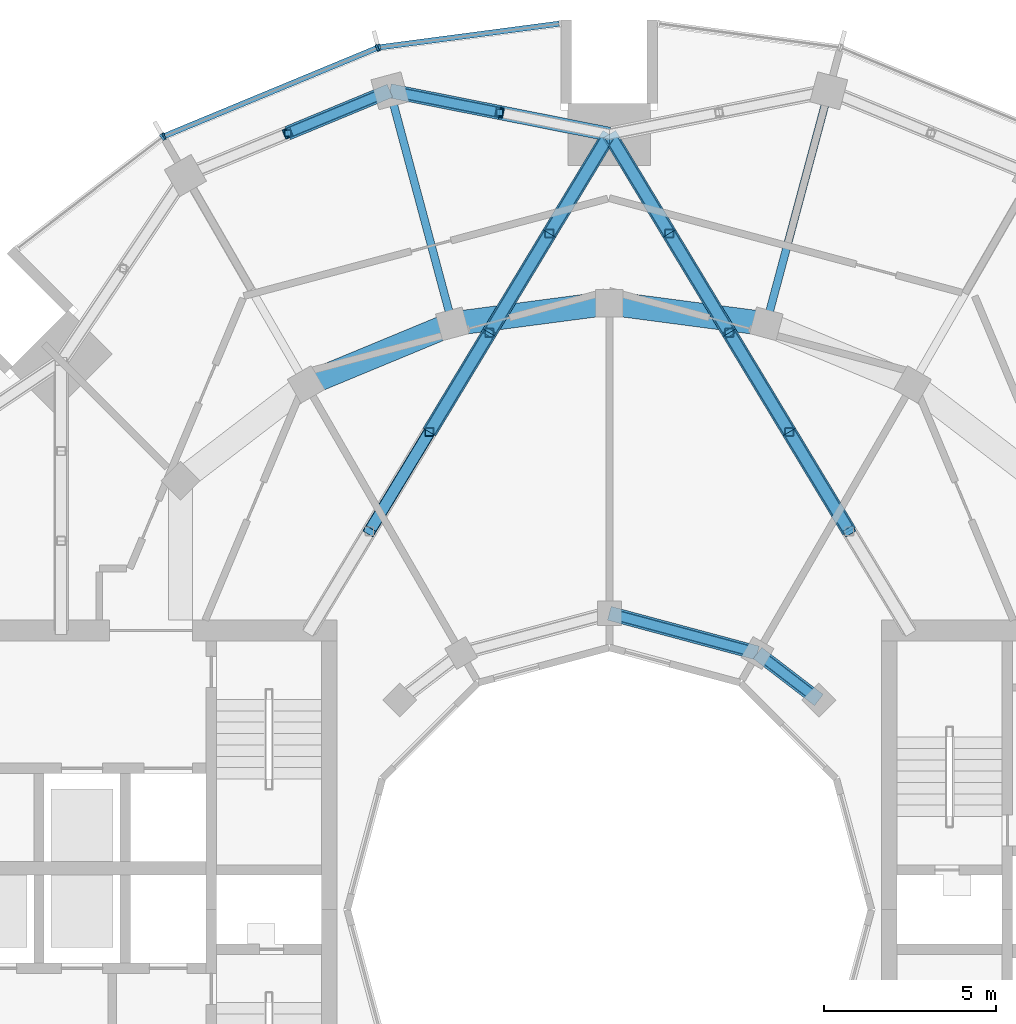
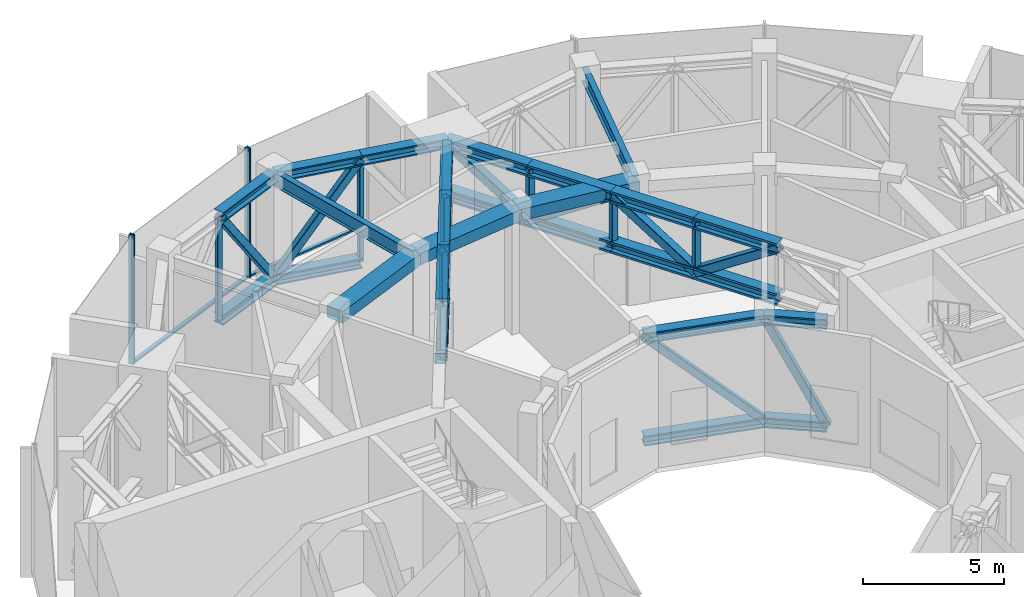
# One storey, part 8 of 18: 49 members, 5 beams, 3 elements without a shape of their own.
"""IFC4 building model written with IfcOpenShell, lengths in metres."""

from ifc_helpers import new_model, si_unit, direction, frame, origin, origin_2d, place, context, subcontext, project, spatial, rectangle, hollow_rectangle, i_section, extrude, material, layer, layer_set, material_profile, profile_set, type_object, element, aggregate, save


model = new_model("IFC4")

# Units and contexts
model_context = context("Model", 3, precision=1e-05, world=origin(), true_north=direction((0.0, 1.0)))
body_context = subcontext(model_context, "Body", "Model", "MODEL_VIEW")
ifc_project = project(units=[si_unit("LENGTHUNIT", "METRE"), si_unit("AREAUNIT", "SQUARE_METRE"), si_unit("VOLUMEUNIT", "CUBIC_METRE"), si_unit("PLANEANGLEUNIT", "RADIAN"), si_unit("MASSUNIT", "GRAM", prefix="KILO")], contexts=[model_context])

# Site, building, storey
site_placement = place(None, origin())
site = spatial("IfcSite", under=ifc_project, at=site_placement, CompositionType="ELEMENT")
building_placement = place(site_placement, origin())
building = spatial("IfcBuilding", under=site, at=building_placement, Name="Torre Brocal", CompositionType="ELEMENT")
storey_placement = place(building_placement, frame((0.0, 0.0, 206.89990234375)))
storey = spatial("IfcBuildingStorey", under=building, at=storey_placement, Name="L48", CompositionType="ELEMENT", Elevation=206.89990234375)

# Members
ifc_material_1 = material(Name="Steel A500 Grade C", Category="steel")
ifc_material_profile_1 = material_profile(ifc_material_1, hollow_rectangle(XDim=0.203125, YDim=0.203125, WallThickness=0.01171875, InnerFilletRadius=0.01171875, OuterFilletRadius=0.023681640625, at=origin_2d()), Name="HSS8X8X1/2")
ifc_profile_set_1 = profile_set([ifc_material_profile_1], Name="Steel A500 Grade C")
member_type_1 = type_object("IfcMemberType", Name="BELT 2 POST HSS8X8X1/2", PredefinedType="POST", material=ifc_profile_set_1)
for number, where, z_axis, x_axis, name in (
    (1, (76.81640625, 98.130859375, 0.6171875), (0.0, 0.0, 1.0), (1.0, 0.0, 0.0), "Member BT2-P05"),
    (2, (70.66650390625, 97.532958984375, 0.6171875), (0.0, 0.0, 1.0), (1.0, 0.0, 0.0), "Member BT2-P06"),
):
    element("IfcMember", number, at=place(storey_placement, frame(where, z_axis=z_axis, x_axis=x_axis)), inside=storey, type_object=member_type_1, Name=name, PredefinedType="POST", context=body_context, shape_type="SweptSolid", body=[
        extrude(hollow_rectangle(XDim=0.203125, YDim=0.203125, WallThickness=0.01171875, InnerFilletRadius=0.01171875, OuterFilletRadius=0.023681640625, at=origin_2d()), origin(), (0.0, 0.0, 1.0), 4.44580078125),
    ])

# Curtain wall, member
ifc_material_2 = material(Name="Aluminium and glass", Category="aluminium")
ifc_layer = layer(ifc_material_2, 0.199951171875)
ifc_layer_set = layer_set([ifc_layer], Name="Aluminium and glass")
curtain_wall_type = type_object("IfcCurtainWallType", Name="CW-1 CURTAIN WALL 5600 HIGH", PredefinedType="NOTDEFINED", material=ifc_layer_set)
curtain_wall_1_placement = place(storey_placement, origin())
curtain_wall_1 = element("IfcCurtainWall", 3, at=curtain_wall_1_placement, inside=storey, type_object=curtain_wall_type, Name="CW-1 RUN 7", PredefinedType="NOTDEFINED")
ifc_material_3 = material(Name="Aluminium, dark anodised", Category="aluminium")
ifc_material_profile_2 = material_profile(ifc_material_3, rectangle(XDim=0.199951171875, YDim=0.06005859375, at=origin_2d()), Name="CW-1 MULLION 60X200")
ifc_profile_set_2 = profile_set([ifc_material_profile_2], Name="Aluminium, dark anodised")
member_type_2 = type_object("IfcMemberType", Name="CW-1 MULLION 60X200", PredefinedType="MULLION", material=ifc_profile_set_2)
member_1_placement = place(storey_placement, frame((73.32666015625, 100.0205078125, 0.0), z_axis=(0.0, 0.0, 1.0), x_axis=(0.13052619222, -0.991444861374, 0.0)))
member_1 = element("IfcMember", 4, at=member_1_placement, type_object=member_type_2, Name="CW1-2 mullion 2", PredefinedType="MULLION", context=body_context, shape_type="SweptSolid", body=[
    extrude(rectangle(XDim=0.199951171875, YDim=0.06005859375, at=origin_2d()), origin(), (0.0, 0.0, 1.0), 5.60009765625),
])

# Curtain wall, members
curtain_wall_2_placement = place(storey_placement, origin())
curtain_wall_2 = element("IfcCurtainWall", 5, at=curtain_wall_2_placement, inside=storey, type_object=curtain_wall_type, Name="CW-1 RUN 8", PredefinedType="NOTDEFINED")
member_2_placement = place(storey_placement, frame((73.26904296875, 100.005126953125, 0.0), z_axis=(0.0, 0.0, 1.0), x_axis=(0.382683432333, -0.923879532525, 0.0)))
member_2 = element("IfcMember", 6, at=member_2_placement, type_object=member_type_2, Name="CW1-2 mullion 1", PredefinedType="MULLION", context=body_context, shape_type="SweptSolid", body=[
    extrude(rectangle(XDim=0.199951171875, YDim=0.06005859375, at=origin_2d()), origin(), (0.0, 0.0, 1.0), 5.60009765625),
])
member_3_placement = place(storey_placement, frame((67.078125, 97.440673828125, 0.0), z_axis=(0.0, 0.0, 1.0), x_axis=(0.382683432333, -0.923879532525, 0.0)))
member_3 = element("IfcMember", 7, at=member_3_placement, type_object=member_type_2, Name="CW1-2 mullion 2", PredefinedType="MULLION", context=body_context, shape_type="SweptSolid", body=[
    extrude(rectangle(XDim=0.199951171875, YDim=0.06005859375, at=origin_2d()), origin(), (0.0, 0.0, 1.0), 5.60009765625),
])

# Curtain wall, member
curtain_wall_3_placement = place(storey_placement, origin())
curtain_wall_3 = element("IfcCurtainWall", 8, at=curtain_wall_3_placement, inside=storey, type_object=curtain_wall_type, Name="CW-1 RUN 9", PredefinedType="NOTDEFINED")
member_4_placement = place(storey_placement, frame((67.026611328125, 97.4111328125, 0.0), z_axis=(0.0, 0.0, 1.0), x_axis=(0.60876142905, -0.793353340259, 0.0)))
member_4 = element("IfcMember", 9, at=member_4_placement, type_object=member_type_2, Name="CW1-2 mullion 1", PredefinedType="MULLION", context=body_context, shape_type="SweptSolid", body=[
    extrude(rectangle(XDim=0.199951171875, YDim=0.06005859375, at=origin_2d()), origin(), (0.0, 0.0, 1.0), 5.60009765625),
])
aggregate(curtain_wall_3, [member_4])

# Member
ifc_material_4 = material(Name="Aluminium, dark anodised", Category="aluminium")
ifc_material_profile_3 = material_profile(ifc_material_4, rectangle(XDim=0.159912109375, YDim=0.080078125, at=origin_2d()), Name="CW-1 TRANSOM 160X80")
ifc_profile_set_3 = profile_set([ifc_material_profile_3], Name="Aluminium, dark anodised")
member_type_3 = type_object("IfcMemberType", Name="CW-1 TRANSOM 160X80", PredefinedType="USERDEFINED", material=ifc_profile_set_3)
member_5_placement = place(storey_placement, frame((78.54052734375, 100.70703125, 0.0400390625), z_axis=(-0.991442690863, -0.130542677827, 0.0), x_axis=(0.130542677827, -0.991442690863, 0.0)))
member_5 = element("IfcMember", 10, at=member_5_placement, type_object=member_type_3, Name="CW1-2 transom 1.1", ObjectType="TRANSOM", PredefinedType="USERDEFINED", context=body_context, shape_type="SweptSolid", body=[
    extrude(rectangle(XDim=0.159912109375, YDim=0.080078125, at=origin_2d()), origin(), (0.0, 0.0, 1.0), 5.22900390625),
])

aggregate(curtain_wall_1, [member_1, member_5])

member_6_placement = place(storey_placement, frame((73.241455078125, 99.99365234375, 0.0400390625), z_axis=(-0.923887344364, -0.38266457234, 0.0), x_axis=(0.38266457234, -0.923887344364, 0.0)))
member_6 = element("IfcMember", 11, at=member_6_placement, type_object=member_type_3, Name="CW1-2 transom 1.1", ObjectType="TRANSOM", PredefinedType="USERDEFINED", context=body_context, shape_type="SweptSolid", body=[
    extrude(rectangle(XDim=0.159912109375, YDim=0.080078125, at=origin_2d()), origin(), (0.0, 0.0, 1.0), 6.640869140625),
])

aggregate(curtain_wall_2, [member_2, member_3, member_6])

# Members
ifc_material_5 = material(Name="Steel A500 Grade C", Category="steel")
ifc_material_profile_4 = material_profile(ifc_material_5, hollow_rectangle(XDim=0.25390625, YDim=0.25390625, WallThickness=0.01171875, InnerFilletRadius=0.01171875, OuterFilletRadius=0.023681640625, at=origin_2d()), Name="HSS10X10X1/2")
ifc_profile_set_4 = profile_set([ifc_material_profile_4], Name="Steel A500 Grade C")
member_type_4 = type_object("IfcMemberType", Name="OUTRIGGER 2 POST HSS10X10X1/2", PredefinedType="POST", material=ifc_profile_set_4)
for number, where, z_axis, x_axis, name in (
    (12, (85.219970703125, 88.860107421875, 2.848876953125), (0.0, 0.0, 1.0), (1.0, 0.0, 0.0), "Member OT2-P04"),
    (13, (83.47998046875, 91.739990234375, 2.848876953125), (0.0, 0.0, 1.0), (1.0, 0.0, 0.0), "Member OT2-P05"),
    (14, (81.739990234375, 94.6201171875, 2.848876953125), (0.0, 0.0, 1.0), (1.0, 0.0, 0.0), "Member OT2-P06"),
    (15, (74.780029296875, 88.860107421875, 2.848876953125), (0.0, 0.0, 1.0), (1.0, 0.0, 0.0), "Member OT2-P08"),
    (16, (76.52001953125, 91.739990234375, 2.848876953125), (0.0, 0.0, 1.0), (1.0, 0.0, 0.0), "Member OT2-P09"),
    (17, (78.260009765625, 94.6201171875, 2.848876953125), (0.0, 0.0, 1.0), (1.0, 0.0, 0.0), "Member OT2-P10"),
):
    element("IfcMember", number, at=place(storey_placement, frame(where, z_axis=z_axis, x_axis=x_axis)), inside=storey, type_object=member_type_4, Name=name, PredefinedType="POST", context=body_context, shape_type="SweptSolid", body=[
        extrude(hollow_rectangle(XDim=0.25390625, YDim=0.25390625, WallThickness=0.01171875, InnerFilletRadius=0.01171875, OuterFilletRadius=0.023681640625, at=origin_2d()), origin(), (0.0, 0.0, 1.0), 2.182373046875),
    ])

# Beams
ifc_material_6 = material(Name="Steel A992", Category="steel")
ifc_material_profile_5 = material_profile(ifc_material_6, i_section(OverallWidth=0.22900390625, OverallDepth=0.612060546875, WebThickness=0.011962890625, FlangeThickness=0.01953125, at=origin_2d()), Name="W24X84")
ifc_profile_set_5 = profile_set([ifc_material_profile_5], Name="Steel A992")
beam_type_1 = type_object("IfcBeamType", Name="PLANT FLOOR BEAM TOP 5280 W24X84", PredefinedType="BEAM", material=ifc_profile_set_5)
for number, where, z_axis, x_axis, name in (
    (18, (84.55517578125, 92.000244140625, 4.97412109375), (0.258823832372, 0.965924543531, 0.0), (-0.965924543531, 0.258823832372, 0.0), "Beam SF-02"),
    (19, (75.44482421875, 92.000244140625, 4.97412109375), (-0.258823832372, 0.965924543531, 0.0), (-0.965924543531, -0.258823832372, 0.0), "Beam SF-02"),
):
    element("IfcBeam", number, at=place(storey_placement, frame(where, z_axis=z_axis, x_axis=x_axis)), inside=storey, type_object=beam_type_1, Name=name, PredefinedType="BEAM", context=body_context, shape_type="SweptSolid", body=[
        extrude(i_section(OverallWidth=0.22900390625, OverallDepth=0.612060546875, WebThickness=0.011962890625, FlangeThickness=0.01953125, at=origin_2d()), origin(), (0.0, 0.0, 1.0), 7.0),
    ])
ifc_material_7 = material(Name="Concrete C50", Category="concrete")
ifc_material_profile_6 = material_profile(ifc_material_7, rectangle(XDim=0.699951171875, YDim=0.5, at=origin_2d()), Name="RC 700X500")
ifc_profile_set_6 = profile_set([ifc_material_profile_6], Name="Concrete C50")
beam_type_2 = type_object("IfcBeamType", Name="RC BEAM 700X500 C50 TOP 5280", PredefinedType="BEAM", material=ifc_profile_set_6)
for number, where, z_axis, x_axis, name in (
    (20, (84.55517578125, 92.000244140625, 5.030029296875), (-0.991440544449, 0.130558978332, 0.0), (-0.130558978332, -0.991440544449, 0.0), "Beam BT-36"),
    (21, (80.0, 92.60009765625, 5.030029296875), (-0.991440544449, -0.130558978332, 0.0), (0.130558978332, -0.991440544449, 0.0), "Beam BT-36"),
):
    element("IfcBeam", number, at=place(storey_placement, frame(where, z_axis=z_axis, x_axis=x_axis)), inside=storey, type_object=beam_type_2, Name=name, PredefinedType="BEAM", context=body_context, shape_type="SweptSolid", body=[
        extrude(rectangle(XDim=0.699951171875, YDim=0.5, at=origin_2d()), origin(), (0.0, 0.0, 1.0), 4.594482421875),
    ])
beam_placement = place(storey_placement, frame((75.44482421875, 92.000244140625, 5.030029296875), z_axis=(-0.923878240166, -0.382686552348, 0.0), x_axis=(0.382686552348, -0.923878240166, 0.0)))
element("IfcBeam", 22, at=beam_placement, inside=storey, type_object=beam_type_2, Name="Beam BT-36", PredefinedType="BEAM", context=body_context, shape_type="SweptSolid", body=[
    extrude(rectangle(XDim=0.699951171875, YDim=0.5, at=origin_2d()), origin(), (0.0, 0.0, 1.0), 4.5947265625),
])

# Members
ifc_material_8 = material(Name="Steel A992", Category="steel")
ifc_material_profile_7 = material_profile(ifc_material_8, i_section(OverallWidth=0.41162109375, OverallDepth=0.434326171875, WebThickness=0.035888671875, FlangeThickness=0.057373046875, at=origin_2d()), Name="W14X311")
ifc_profile_set_7 = profile_set([ifc_material_profile_7], Name="Steel A992")
member_type_5 = type_object("IfcMemberType", Name="TRUSS BOTTOM CHORD W14X311", PredefinedType="CHORD", material=ifc_profile_set_7)
member_7_placement = place(storey_placement, frame((76.81640625, 98.130859375, 0.6171875), z_axis=(-0.980923486126, 0.194394224108, 0.0), x_axis=(-0.194394224108, -0.980923486126, 0.0)))
element("IfcMember", 23, at=member_7_placement, inside=storey, type_object=member_type_5, Name="Member BT2-C20", PredefinedType="CHORD", context=body_context, shape_type="SweptSolid", body=[
    extrude(i_section(OverallWidth=0.41162109375, OverallDepth=0.434326171875, WebThickness=0.035888671875, FlangeThickness=0.057373046875, at=origin_2d()), origin(), (0.0, 0.0, 1.0), 3.245361328125),
])
member_8_placement = place(storey_placement, frame((73.633056640625, 98.76171875, 0.6171875), z_axis=(-0.923882462513, -0.382676358639, 0.0), x_axis=(0.382676358639, -0.923882462513, 0.0)))
element("IfcMember", 24, at=member_8_placement, inside=storey, type_object=member_type_5, Name="Member BT2-C22", PredefinedType="CHORD", context=body_context, shape_type="SweptSolid", body=[
    extrude(i_section(OverallWidth=0.41162109375, OverallDepth=0.434326171875, WebThickness=0.035888671875, FlangeThickness=0.057373046875, at=origin_2d()), origin(), (0.0, 0.0, 1.0), 3.2109375),
])
member_9_placement = place(storey_placement, frame((86.0810546875, 81.0810546875, 0.6171875), z_axis=(-0.793334976885, 0.608785359918, 0.0), x_axis=(-0.608785359918, -0.793334976885, 0.0)))
element("IfcMember", 25, at=member_9_placement, inside=storey, type_object=member_type_5, Name="Member BT2-C74", PredefinedType="CHORD", context=body_context, shape_type="SweptSolid", body=[
    extrude(i_section(OverallWidth=0.41162109375, OverallDepth=0.434326171875, WebThickness=0.035888671875, FlangeThickness=0.057373046875, at=origin_2d()), origin(), (0.0, 0.0, 1.0), 2.244873046875),
])
member_10_placement = place(storey_placement, frame((84.300048828125, 82.44775390625, 0.6171875), z_axis=(-0.965917450527, 0.25885030185, 0.0), x_axis=(-0.25885030185, -0.965917450527, 0.0)))
element("IfcMember", 26, at=member_10_placement, inside=storey, type_object=member_type_5, Name="Member BT2-C76", PredefinedType="CHORD", context=body_context, shape_type="SweptSolid", body=[
    extrude(i_section(OverallWidth=0.41162109375, OverallDepth=0.434326171875, WebThickness=0.035888671875, FlangeThickness=0.057373046875, at=origin_2d()), origin(), (0.0, 0.0, 1.0), 4.45166015625),
])
ifc_material_9 = material(Name="Steel A992", Category="steel")
ifc_material_profile_8 = material_profile(ifc_material_9, i_section(OverallWidth=0.431884765625, OverallDepth=0.497802734375, WebThickness=0.0556640625, FlangeThickness=0.0888671875, at=origin_2d()), Name="W14X500")
ifc_profile_set_8 = profile_set([ifc_material_profile_8], Name="Steel A992")
member_type_6 = type_object("IfcMemberType", Name="TRUSS BOTTOM CHORD W14X500", PredefinedType="CHORD", material=ifc_profile_set_8)
member_11_placement = place(storey_placement, frame((86.9599609375, 85.97998046875, 2.848876953125), z_axis=(-0.517096814817, 0.855926915167, 0.0), x_axis=(-0.855926915167, -0.517096814817, 0.0)))
element("IfcMember", 27, at=member_11_placement, inside=storey, type_object=member_type_6, Name="Member OT2-C10", PredefinedType="CHORD", context=body_context, shape_type="SweptSolid", body=[
    extrude(i_section(OverallWidth=0.431884765625, OverallDepth=0.497802734375, WebThickness=0.0556640625, FlangeThickness=0.0888671875, at=origin_2d()), origin(), (0.0, 0.0, 1.0), 3.364990234375),
])
member_12_placement = place(storey_placement, frame((85.219970703125, 88.860107421875, 2.848876953125), z_axis=(-0.517128928912, 0.855907513042, 0.0), x_axis=(-0.855907513042, -0.517128928912, 0.0)))
element("IfcMember", 28, at=member_12_placement, inside=storey, type_object=member_type_6, Name="Member OT2-C12", PredefinedType="CHORD", context=body_context, shape_type="SweptSolid", body=[
    extrude(i_section(OverallWidth=0.431884765625, OverallDepth=0.497802734375, WebThickness=0.0556640625, FlangeThickness=0.0888671875, at=origin_2d()), origin(), (0.0, 0.0, 1.0), 3.36474609375),
])
member_13_placement = place(storey_placement, frame((83.47998046875, 91.739990234375, 2.848876953125), z_axis=(-0.517096814817, 0.855926915167, 0.0), x_axis=(-0.855926915167, -0.517096814817, 0.0)))
element("IfcMember", 29, at=member_13_placement, inside=storey, type_object=member_type_6, Name="Member OT2-C14", PredefinedType="CHORD", context=body_context, shape_type="SweptSolid", body=[
    extrude(i_section(OverallWidth=0.431884765625, OverallDepth=0.497802734375, WebThickness=0.0556640625, FlangeThickness=0.0888671875, at=origin_2d()), origin(), (0.0, 0.0, 1.0), 3.364990234375),
])
for number, where, z_axis, x_axis, name in (
    (30, (81.739990234375, 94.6201171875, 2.848876953125), (-0.517128928912, 0.855907513042, 0.0), (-0.855907513042, -0.517128928912, 0.0), "Member OT2-C16"),
    (31, (74.780029296875, 88.860107421875, 2.848876953125), (0.517128928912, 0.855907513042, 0.0), (-0.855907513042, 0.517128928912, 0.0), "Member OT2-C22"),
):
    element("IfcMember", number, at=place(storey_placement, frame(where, z_axis=z_axis, x_axis=x_axis)), inside=storey, type_object=member_type_6, Name=name, PredefinedType="CHORD", context=body_context, shape_type="SweptSolid", body=[
        extrude(i_section(OverallWidth=0.431884765625, OverallDepth=0.497802734375, WebThickness=0.0556640625, FlangeThickness=0.0888671875, at=origin_2d()), origin(), (0.0, 0.0, 1.0), 3.36474609375),
    ])
member_14_placement = place(storey_placement, frame((76.52001953125, 91.739990234375, 2.848876953125), z_axis=(0.517096814817, 0.855926915167, 0.0), x_axis=(-0.855926915167, 0.517096814817, 0.0)))
element("IfcMember", 32, at=member_14_placement, inside=storey, type_object=member_type_6, Name="Member OT2-C24", PredefinedType="CHORD", context=body_context, shape_type="SweptSolid", body=[
    extrude(i_section(OverallWidth=0.431884765625, OverallDepth=0.497802734375, WebThickness=0.0556640625, FlangeThickness=0.0888671875, at=origin_2d()), origin(), (0.0, 0.0, 1.0), 3.364990234375),
])
member_15_placement = place(storey_placement, frame((78.260009765625, 94.6201171875, 2.848876953125), z_axis=(0.517128928912, 0.855907513042, 0.0), x_axis=(-0.855907513042, 0.517128928912, 0.0)))
element("IfcMember", 33, at=member_15_placement, inside=storey, type_object=member_type_6, Name="Member OT2-C26", PredefinedType="CHORD", context=body_context, shape_type="SweptSolid", body=[
    extrude(i_section(OverallWidth=0.431884765625, OverallDepth=0.497802734375, WebThickness=0.0556640625, FlangeThickness=0.0888671875, at=origin_2d()), origin(), (0.0, 0.0, 1.0), 3.36474609375),
])
ifc_material_10 = material(Name="Steel A500 Grade C", Category="steel")
ifc_material_profile_9 = material_profile(ifc_material_10, hollow_rectangle(XDim=0.3046875, YDim=0.3046875, WallThickness=0.014892578125, InnerFilletRadius=0.014892578125, OuterFilletRadius=0.029541015625, at=origin_2d()), Name="HSS12X12X5/8")
ifc_profile_set_9 = profile_set([ifc_material_profile_9], Name="Steel A500 Grade C")
member_type_7 = type_object("IfcMemberType", Name="TRUSS DIAGONAL HSS12X12X5/8", PredefinedType="BRACE", material=ifc_profile_set_9)
member_16_placement = place(storey_placement, frame((76.81640625, 98.130859375, 5.06298828125), z_axis=(-0.578343221896, 0.114612998342, -0.807702283207), x_axis=(-0.194394224108, -0.980923486126, 0.0)))
element("IfcMember", 34, at=member_16_placement, inside=storey, type_object=member_type_7, Name="Member BT2-D10", PredefinedType="BRACE", context=body_context, shape_type="SweptSolid", body=[
    extrude(hollow_rectangle(XDim=0.3046875, YDim=0.3046875, WallThickness=0.014892578125, InnerFilletRadius=0.014892578125, OuterFilletRadius=0.029541015625, at=origin_2d()), origin(), (0.0, 0.0, 1.0), 5.504150390625),
])
member_17_placement = place(storey_placement, frame((73.633056640625, 98.76171875, 0.6171875), z_axis=(-0.540936327558, -0.22405831097, 0.810669946904), x_axis=(0.382676358639, -0.923882462513, 0.0)))
element("IfcMember", 35, at=member_17_placement, inside=storey, type_object=member_type_7, Name="Member BT2-D11", PredefinedType="BRACE", context=body_context, shape_type="SweptSolid", body=[
    extrude(hollow_rectangle(XDim=0.3046875, YDim=0.3046875, WallThickness=0.014892578125, InnerFilletRadius=0.014892578125, OuterFilletRadius=0.029541015625, at=origin_2d()), origin(), (0.0, 0.0, 1.0), 5.484130859375),
])
member_18_placement = place(storey_placement, frame((86.0810546875, 81.0810546875, 0.6171875), z_axis=(-0.357598585289, 0.274412183749, 0.89264842195), x_axis=(-0.608785359918, -0.793334976885, 0.0)))
element("IfcMember", 36, at=member_18_placement, inside=storey, type_object=member_type_7, Name="Member BT2-D37", PredefinedType="BRACE", context=body_context, shape_type="SweptSolid", body=[
    extrude(hollow_rectangle(XDim=0.3046875, YDim=0.3046875, WallThickness=0.014892578125, InnerFilletRadius=0.014892578125, OuterFilletRadius=0.029541015625, at=origin_2d()), origin(), (0.0, 0.0, 1.0), 4.98046875),
])
member_19_placement = place(storey_placement, frame((84.300048828125, 82.44775390625, 0.6171875), z_axis=(-0.683465358203, 0.183157695493, 0.706631702316), x_axis=(-0.25885030185, -0.965917450527, 0.0)))
element("IfcMember", 37, at=member_19_placement, inside=storey, type_object=member_type_7, Name="Member BT2-D38", PredefinedType="BRACE", context=body_context, shape_type="SweptSolid", body=[
    extrude(hollow_rectangle(XDim=0.3046875, YDim=0.3046875, WallThickness=0.014892578125, InnerFilletRadius=0.014892578125, OuterFilletRadius=0.029541015625, at=origin_2d()), origin(), (0.0, 0.0, 1.0), 6.29150390625),
])
ifc_material_11 = material(Name="Steel A500 Grade C", Category="steel")
ifc_material_profile_10 = material_profile(ifc_material_11, hollow_rectangle(XDim=0.355712890625, YDim=0.355712890625, WallThickness=0.014892578125, InnerFilletRadius=0.014892578125, OuterFilletRadius=0.029541015625, at=origin_2d()), Name="HSS14X14X5/8")
ifc_profile_set_10 = profile_set([ifc_material_profile_10], Name="Steel A500 Grade C")
member_type_8 = type_object("IfcMemberType", Name="TRUSS DIAGONAL HSS14X14X5/8", PredefinedType="BRACE", material=ifc_profile_set_10)
member_20_placement = place(storey_placement, frame((86.9599609375, 85.97998046875, 5.03125), z_axis=(-0.433840619359, 0.718116709216, -0.544142177137), x_axis=(-0.855926915167, -0.517096814817, 0.0)))
element("IfcMember", 38, at=member_20_placement, inside=storey, type_object=member_type_8, Name="Member OT2-D05", PredefinedType="BRACE", context=body_context, shape_type="SweptSolid", body=[
    extrude(hollow_rectangle(XDim=0.355712890625, YDim=0.355712890625, WallThickness=0.014892578125, InnerFilletRadius=0.014892578125, OuterFilletRadius=0.029541015625, at=origin_2d()), origin(), (0.0, 0.0, 1.0), 4.0107421875),
])
member_21_placement = place(storey_placement, frame((85.219970703125, 88.860107421875, 2.848876953125), z_axis=(-0.433859584618, 0.718087226063, 0.544165964206), x_axis=(-0.855907513042, -0.517128928912, 0.0)))
element("IfcMember", 39, at=member_21_placement, inside=storey, type_object=member_type_8, Name="Member OT2-D06", PredefinedType="BRACE", context=body_context, shape_type="SweptSolid", body=[
    extrude(hollow_rectangle(XDim=0.355712890625, YDim=0.355712890625, WallThickness=0.014892578125, InnerFilletRadius=0.014892578125, OuterFilletRadius=0.029541015625, at=origin_2d()), origin(), (0.0, 0.0, 1.0), 4.010498046875),
])
member_22_placement = place(storey_placement, frame((83.47998046875, 91.739990234375, 5.03125), z_axis=(-0.433840619359, 0.718116709216, -0.544142177137), x_axis=(-0.855926915167, -0.517096814817, 0.0)))
element("IfcMember", 40, at=member_22_placement, inside=storey, type_object=member_type_8, Name="Member OT2-D07", PredefinedType="BRACE", context=body_context, shape_type="SweptSolid", body=[
    extrude(hollow_rectangle(XDim=0.355712890625, YDim=0.355712890625, WallThickness=0.014892578125, InnerFilletRadius=0.014892578125, OuterFilletRadius=0.029541015625, at=origin_2d()), origin(), (0.0, 0.0, 1.0), 4.0107421875),
])
member_23_placement = place(storey_placement, frame((81.739990234375, 94.6201171875, 2.848876953125), z_axis=(-0.433859584618, 0.718087226063, 0.544165964206), x_axis=(-0.855907513042, -0.517128928912, 0.0)))
element("IfcMember", 41, at=member_23_placement, inside=storey, type_object=member_type_8, Name="Member OT2-D08", PredefinedType="BRACE", context=body_context, shape_type="SweptSolid", body=[
    extrude(hollow_rectangle(XDim=0.355712890625, YDim=0.355712890625, WallThickness=0.014892578125, InnerFilletRadius=0.014892578125, OuterFilletRadius=0.029541015625, at=origin_2d()), origin(), (0.0, 0.0, 1.0), 4.010498046875),
])
member_24_placement = place(storey_placement, frame((73.0400390625, 85.97998046875, 5.03125), z_axis=(0.433840619359, 0.718116709216, -0.544142177137), x_axis=(-0.855926915167, 0.517096814817, 0.0)))
element("IfcMember", 42, at=member_24_placement, inside=storey, type_object=member_type_8, Name="Member OT2-D10", PredefinedType="BRACE", context=body_context, shape_type="SweptSolid", body=[
    extrude(hollow_rectangle(XDim=0.355712890625, YDim=0.355712890625, WallThickness=0.014892578125, InnerFilletRadius=0.014892578125, OuterFilletRadius=0.029541015625, at=origin_2d()), origin(), (0.0, 0.0, 1.0), 4.0107421875),
])
member_25_placement = place(storey_placement, frame((74.780029296875, 88.860107421875, 2.848876953125), z_axis=(0.433859584618, 0.718087226063, 0.544165964206), x_axis=(-0.855907513042, 0.517128928912, 0.0)))
element("IfcMember", 43, at=member_25_placement, inside=storey, type_object=member_type_8, Name="Member OT2-D11", PredefinedType="BRACE", context=body_context, shape_type="SweptSolid", body=[
    extrude(hollow_rectangle(XDim=0.355712890625, YDim=0.355712890625, WallThickness=0.014892578125, InnerFilletRadius=0.014892578125, OuterFilletRadius=0.029541015625, at=origin_2d()), origin(), (0.0, 0.0, 1.0), 4.010498046875),
])
member_26_placement = place(storey_placement, frame((76.52001953125, 91.739990234375, 5.03125), z_axis=(0.433840619359, 0.718116709216, -0.544142177137), x_axis=(-0.855926915167, 0.517096814817, 0.0)))
element("IfcMember", 44, at=member_26_placement, inside=storey, type_object=member_type_8, Name="Member OT2-D12", PredefinedType="BRACE", context=body_context, shape_type="SweptSolid", body=[
    extrude(hollow_rectangle(XDim=0.355712890625, YDim=0.355712890625, WallThickness=0.014892578125, InnerFilletRadius=0.014892578125, OuterFilletRadius=0.029541015625, at=origin_2d()), origin(), (0.0, 0.0, 1.0), 4.0107421875),
])
member_27_placement = place(storey_placement, frame((78.260009765625, 94.6201171875, 2.848876953125), z_axis=(0.433859584618, 0.718087226063, 0.544165964206), x_axis=(-0.855907513042, 0.517128928912, 0.0)))
element("IfcMember", 45, at=member_27_placement, inside=storey, type_object=member_type_8, Name="Member OT2-D13", PredefinedType="BRACE", context=body_context, shape_type="SweptSolid", body=[
    extrude(hollow_rectangle(XDim=0.355712890625, YDim=0.355712890625, WallThickness=0.014892578125, InnerFilletRadius=0.014892578125, OuterFilletRadius=0.029541015625, at=origin_2d()), origin(), (0.0, 0.0, 1.0), 4.010498046875),
])
ifc_material_12 = material(Name="Steel A992", Category="steel")
ifc_material_profile_11 = material_profile(ifc_material_12, i_section(OverallWidth=0.41162109375, OverallDepth=0.434326171875, WebThickness=0.035888671875, FlangeThickness=0.057373046875, at=origin_2d()), Name="W14X311")
ifc_profile_set_11 = profile_set([ifc_material_profile_11], Name="Steel A992")
member_type_9 = type_object("IfcMemberType", Name="TRUSS TOP CHORD W14X311", PredefinedType="CHORD", material=ifc_profile_set_11)
member_28_placement = place(storey_placement, frame((80.0, 97.5, 5.06298828125), z_axis=(-0.980926328685, 0.194379879856, 0.0), x_axis=(-0.194379879856, -0.980926328685, 0.0)))
element("IfcMember", 46, at=member_28_placement, inside=storey, type_object=member_type_9, Name="Member BT2-C17", PredefinedType="CHORD", context=body_context, shape_type="SweptSolid", body=[
    extrude(i_section(OverallWidth=0.41162109375, OverallDepth=0.434326171875, WebThickness=0.035888671875, FlangeThickness=0.057373046875, at=origin_2d()), origin(), (0.0, 0.0, 1.0), 3.24560546875),
])
member_29_placement = place(storey_placement, frame((76.81640625, 98.130859375, 5.06298828125), z_axis=(-0.980923486126, 0.194394224108, 0.0), x_axis=(-0.194394224108, -0.980923486126, 0.0)))
element("IfcMember", 47, at=member_29_placement, inside=storey, type_object=member_type_9, Name="Member BT2-C19", PredefinedType="CHORD", context=body_context, shape_type="SweptSolid", body=[
    extrude(i_section(OverallWidth=0.41162109375, OverallDepth=0.434326171875, WebThickness=0.035888671875, FlangeThickness=0.057373046875, at=origin_2d()), origin(), (0.0, 0.0, 1.0), 3.245361328125),
])
member_30_placement = place(storey_placement, frame((73.633056640625, 98.76171875, 5.06298828125), z_axis=(-0.923882462513, -0.382676358639, 0.0), x_axis=(0.382676358639, -0.923882462513, 0.0)))
element("IfcMember", 48, at=member_30_placement, inside=storey, type_object=member_type_9, Name="Member BT2-C21", PredefinedType="CHORD", context=body_context, shape_type="SweptSolid", body=[
    extrude(i_section(OverallWidth=0.41162109375, OverallDepth=0.434326171875, WebThickness=0.035888671875, FlangeThickness=0.057373046875, at=origin_2d()), origin(), (0.0, 0.0, 1.0), 3.2109375),
])
member_31_placement = place(storey_placement, frame((86.0810546875, 81.0810546875, 5.06298828125), z_axis=(-0.793334976885, 0.608785359918, 0.0), x_axis=(-0.608785359918, -0.793334976885, 0.0)))
element("IfcMember", 49, at=member_31_placement, inside=storey, type_object=member_type_9, Name="Member BT2-C73", PredefinedType="CHORD", context=body_context, shape_type="SweptSolid", body=[
    extrude(i_section(OverallWidth=0.41162109375, OverallDepth=0.434326171875, WebThickness=0.035888671875, FlangeThickness=0.057373046875, at=origin_2d()), origin(), (0.0, 0.0, 1.0), 2.244873046875),
])
member_32_placement = place(storey_placement, frame((84.300048828125, 82.44775390625, 5.06298828125), z_axis=(-0.965917450527, 0.25885030185, 0.0), x_axis=(-0.25885030185, -0.965917450527, 0.0)))
element("IfcMember", 50, at=member_32_placement, inside=storey, type_object=member_type_9, Name="Member BT2-C75", PredefinedType="CHORD", context=body_context, shape_type="SweptSolid", body=[
    extrude(i_section(OverallWidth=0.41162109375, OverallDepth=0.434326171875, WebThickness=0.035888671875, FlangeThickness=0.057373046875, at=origin_2d()), origin(), (0.0, 0.0, 1.0), 4.45166015625),
])
ifc_material_13 = material(Name="Steel A992", Category="steel")
ifc_material_profile_12 = material_profile(ifc_material_13, i_section(OverallWidth=0.431884765625, OverallDepth=0.497802734375, WebThickness=0.0556640625, FlangeThickness=0.0888671875, at=origin_2d()), Name="W14X500")
ifc_profile_set_12 = profile_set([ifc_material_profile_12], Name="Steel A992")
member_type_10 = type_object("IfcMemberType", Name="TRUSS TOP CHORD W14X500", PredefinedType="CHORD", material=ifc_profile_set_12)
member_33_placement = place(storey_placement, frame((86.9599609375, 85.97998046875, 5.03125), z_axis=(-0.517096814817, 0.855926915167, 0.0), x_axis=(-0.855926915167, -0.517096814817, 0.0)))
element("IfcMember", 51, at=member_33_placement, inside=storey, type_object=member_type_10, Name="Member OT2-C09", PredefinedType="CHORD", context=body_context, shape_type="SweptSolid", body=[
    extrude(i_section(OverallWidth=0.431884765625, OverallDepth=0.497802734375, WebThickness=0.0556640625, FlangeThickness=0.0888671875, at=origin_2d()), origin(), (0.0, 0.0, 1.0), 3.364990234375),
])
member_34_placement = place(storey_placement, frame((85.219970703125, 88.860107421875, 5.03125), z_axis=(-0.517128928912, 0.855907513042, 0.0), x_axis=(-0.855907513042, -0.517128928912, 0.0)))
element("IfcMember", 52, at=member_34_placement, inside=storey, type_object=member_type_10, Name="Member OT2-C11", PredefinedType="CHORD", context=body_context, shape_type="SweptSolid", body=[
    extrude(i_section(OverallWidth=0.431884765625, OverallDepth=0.497802734375, WebThickness=0.0556640625, FlangeThickness=0.0888671875, at=origin_2d()), origin(), (0.0, 0.0, 1.0), 3.36474609375),
])
member_35_placement = place(storey_placement, frame((83.47998046875, 91.739990234375, 5.03125), z_axis=(-0.517096814817, 0.855926915167, 0.0), x_axis=(-0.855926915167, -0.517096814817, 0.0)))
element("IfcMember", 53, at=member_35_placement, inside=storey, type_object=member_type_10, Name="Member OT2-C13", PredefinedType="CHORD", context=body_context, shape_type="SweptSolid", body=[
    extrude(i_section(OverallWidth=0.431884765625, OverallDepth=0.497802734375, WebThickness=0.0556640625, FlangeThickness=0.0888671875, at=origin_2d()), origin(), (0.0, 0.0, 1.0), 3.364990234375),
])
for number, where, z_axis, x_axis, name in (
    (54, (81.739990234375, 94.6201171875, 5.03125), (-0.517128928912, 0.855907513042, 0.0), (-0.855907513042, -0.517128928912, 0.0), "Member OT2-C15"),
    (55, (74.780029296875, 88.860107421875, 5.03125), (0.517128928912, 0.855907513042, 0.0), (-0.855907513042, 0.517128928912, 0.0), "Member OT2-C21"),
):
    element("IfcMember", number, at=place(storey_placement, frame(where, z_axis=z_axis, x_axis=x_axis)), inside=storey, type_object=member_type_10, Name=name, PredefinedType="CHORD", context=body_context, shape_type="SweptSolid", body=[
        extrude(i_section(OverallWidth=0.431884765625, OverallDepth=0.497802734375, WebThickness=0.0556640625, FlangeThickness=0.0888671875, at=origin_2d()), origin(), (0.0, 0.0, 1.0), 3.36474609375),
    ])
member_36_placement = place(storey_placement, frame((76.52001953125, 91.739990234375, 5.03125), z_axis=(0.517096814817, 0.855926915167, 0.0), x_axis=(-0.855926915167, 0.517096814817, 0.0)))
element("IfcMember", 56, at=member_36_placement, inside=storey, type_object=member_type_10, Name="Member OT2-C23", PredefinedType="CHORD", context=body_context, shape_type="SweptSolid", body=[
    extrude(i_section(OverallWidth=0.431884765625, OverallDepth=0.497802734375, WebThickness=0.0556640625, FlangeThickness=0.0888671875, at=origin_2d()), origin(), (0.0, 0.0, 1.0), 3.364990234375),
])
member_37_placement = place(storey_placement, frame((78.260009765625, 94.6201171875, 5.03125), z_axis=(0.517128928912, 0.855907513042, 0.0), x_axis=(-0.855907513042, 0.517128928912, 0.0)))
element("IfcMember", 57, at=member_37_placement, inside=storey, type_object=member_type_10, Name="Member OT2-C25", PredefinedType="CHORD", context=body_context, shape_type="SweptSolid", body=[
    extrude(i_section(OverallWidth=0.431884765625, OverallDepth=0.497802734375, WebThickness=0.0556640625, FlangeThickness=0.0888671875, at=origin_2d()), origin(), (0.0, 0.0, 1.0), 3.36474609375),
])

save(model, "model.ifc")
